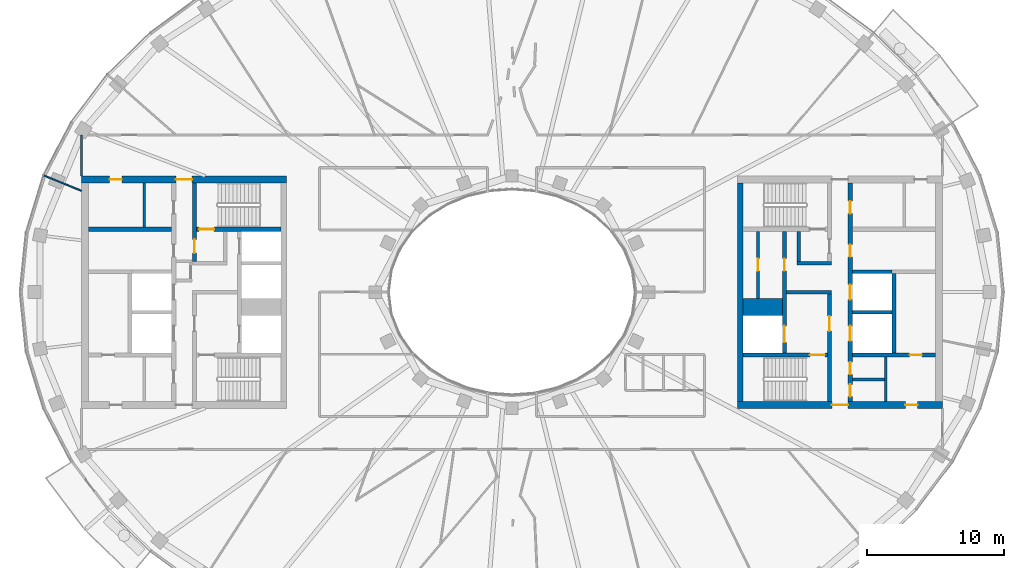
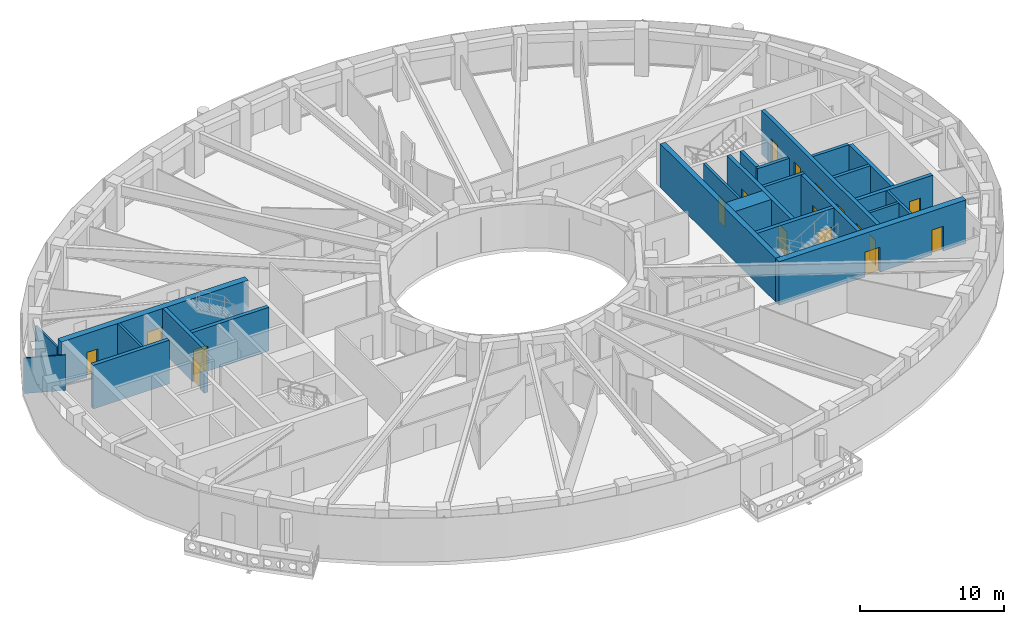
# One storey, part 5 of 16: 24 walls, 18 doors, 18 openings.
"""IFC4 building model written with IfcOpenShell, lengths in metres."""

from ifc_helpers import new_model, si_unit, direction, frame, frame_2d, origin, place, context, subcontext, project, spatial, rectangle, extrude, material, layer, layer_set, type_object, element, fill, save


model = new_model("IFC4")

# Units and contexts
model_context = context("Model", 3, precision=1e-05, world=origin(), true_north=direction((0.0, 1.0)))
body_context = subcontext(model_context, "Body", "Model", "MODEL_VIEW")
ifc_project = project(units=[si_unit("LENGTHUNIT", "METRE"), si_unit("AREAUNIT", "SQUARE_METRE"), si_unit("VOLUMEUNIT", "CUBIC_METRE"), si_unit("PLANEANGLEUNIT", "RADIAN"), si_unit("MASSUNIT", "GRAM", prefix="KILO")], contexts=[model_context])

# Site, building, storey
site_placement = place(None, origin())
site = spatial("IfcSite", under=ifc_project, at=site_placement, CompositionType="ELEMENT")
building_placement = place(site_placement, origin())
building = spatial("IfcBuilding", under=site, at=building_placement, Name="Noorbagh Ring Tower", CompositionType="ELEMENT")
storey_placement = place(building_placement, frame((0.0, 0.0, 311.0)))
storey = spatial("IfcBuildingStorey", under=building, at=storey_placement, Name="L67", CompositionType="ELEMENT", Elevation=311.0)

# Wall
ifc_material_1 = material(Name="Gypsum board on steel studs", Category="steel")
ifc_layer_1 = layer(ifc_material_1, 0.199951171875)
ifc_layer_set_1 = layer_set([ifc_layer_1], Name="Gypsum board on steel studs")
wall_type_1 = type_object("IfcWallType", Name="CORE-PARTITION-200", PredefinedType="PARTITIONING", material=ifc_layer_set_1)
wall_1_placement = place(storey_placement, frame((-26.89990234375, 4.75, 0.0), z_axis=(0.0, 0.0, 1.0), x_axis=(0.0, 1.0, 0.0)))
element("IfcWall", 1, at=wall_1_placement, inside=storey, type_object=wall_type_1, Name="Core partition W", PredefinedType="PARTITIONING", context=body_context, shape_type="SweptSolid", body=[
    extrude(rectangle(XDim=3.25, YDim=0.199951171875, at=frame_2d((1.625, 0.0))), origin(), (0.0, 0.0, 1.0), 3.699951171875),
])

# Wall, opening, door
wall_2_placement = place(storey_placement, frame((18.0, -0.449951171875, 0.0), z_axis=(0.0, 0.0, 1.0), x_axis=(0.0, 1.0, 0.0)))
wall_2 = element("IfcWall", 2, at=wall_2_placement, inside=storey, type_object=wall_type_1, Name="Core partition E", PredefinedType="PARTITIONING", context=body_context, shape_type="SweptSolid", body=[
    extrude(rectangle(XDim=4.89990234375, YDim=0.199951171875, at=frame_2d((2.449951171875, 0.0))), origin(), (0.0, 0.0, 1.0), 3.699951171875),
])
opening_1_placement = place(wall_2_placement, frame((2.0, 0.0, 0.0)))
opening_1 = element("IfcOpeningElement", 3, at=opening_1_placement, cuts=wall_2, Name="Opening L67-CE11", PredefinedType="OPENING", context=body_context, shape_type="SweptSolid", body=[
    extrude(rectangle(XDim=0.89990234375, YDim=2.10009765625, at=frame_2d((0.449951171875, 1.050048828125))), frame((0.0, 0.10986328125, 0.0), z_axis=(0.0, -1.0, 0.0), x_axis=(1.0, 0.0, 0.0)), (0.0, 0.0, 1.0), 0.219970703125),
])
ifc_material_2 = material(Name="Steel door leaf", Category="steel")
door_type_1 = type_object("IfcDoorType", Name="CORE-DOOR-DROOM", OperationType="SINGLE_SWING_LEFT", PredefinedType="DOOR", material=ifc_material_2)
door_1_placement = place(opening_1_placement, origin())
door_1 = element("IfcDoor", 4, at=door_1_placement, inside=storey, type_object=door_type_1, Name="Core room door L67-CE11", OperationType="SINGLE_SWING_RIGHT", OverallHeight=2.10009765625, OverallWidth=0.89990234375, PredefinedType="DOOR", context=body_context, shape_type="SweptSolid", body=[
    extrude(rectangle(XDim=0.89990234375, YDim=2.10009765625, at=frame_2d((0.449951171875, 1.050048828125))), frame((0.0, 0.02490234375, 0.0), z_axis=(0.0, -1.0, 0.0), x_axis=(1.0, 0.0, 0.0)), (0.0, 0.0, 1.0), 0.050048828125),
])
fill(opening_1, door_1)

# Walls
wall_3_placement = place(storey_placement, frame((27.35009765625, -8.0, 0.0), z_axis=(0.0, 0.0, 1.0), x_axis=(0.0, 1.0, 0.0)))
element("IfcWall", 5, at=wall_3_placement, inside=storey, type_object=wall_type_1, Name="Core partition E", PredefinedType="PARTITIONING", context=body_context, shape_type="SweptSolid", body=[
    extrude(rectangle(XDim=3.25, YDim=0.199951171875, at=frame_2d((1.625, 0.0))), origin(), (0.0, 0.0, 1.0), 3.699951171875),
])
wall_4_placement = place(storey_placement, frame((24.89990234375, -6.39990234375, 0.0), z_axis=(0.0, 0.0, 1.0), x_axis=(1.0, 0.0, 0.0)))
element("IfcWall", 6, at=wall_4_placement, inside=storey, type_object=wall_type_1, Name="Core partition E", PredefinedType="PARTITIONING", context=body_context, shape_type="SweptSolid", body=[
    extrude(rectangle(XDim=2.35009765625, YDim=0.199951171875, at=frame_2d((1.175048828125, 0.0))), origin(), (0.0, 0.0, 1.0), 3.699951171875),
])
ifc_material_3 = material(Name="Concrete C50/60", Category="concrete")
ifc_layer_2 = layer(ifc_material_3, 1.25)
ifc_layer_set_2 = layer_set([ifc_layer_2], Name="Concrete C50/60")
wall_type_2 = type_object("IfcWallType", Name="CORE-WALL-1250-C50-60-EI120", PredefinedType="SHEAR", material=ifc_layer_set_2)
wall_5_placement = place(storey_placement, frame((16.89990234375, -1.074951171875, 0.0), z_axis=(0.0, 0.0, 1.0), x_axis=(1.0, 0.0, 0.0)))
element("IfcWall", 7, at=wall_5_placement, inside=storey, type_object=wall_type_2, Name="Core wall E", PredefinedType="SHEAR", context=body_context, shape_type="SweptSolid", body=[
    extrude(rectangle(XDim=2.900146484375, YDim=1.25, at=frame_2d((1.4501953125, 0.0))), origin(), (0.0, 0.0, 1.0), 3.699951171875),
])
ifc_material_4 = material(Name="Concrete C50/60", Category="concrete")
ifc_layer_3 = layer(ifc_material_4, 0.25)
ifc_layer_set_3 = layer_set([ifc_layer_3], Name="Concrete C50/60")
wall_type_3 = type_object("IfcWallType", Name="CORE-WALL-250-C50-60-EI120", PredefinedType="SHEAR", material=ifc_layer_set_3)
for number, where, z_axis, x_axis, name in (
    (8, (24.89990234375, -1.47509765625, 0.0), (0.0, 0.0, 1.0), (1.0, 0.0, 0.0), "Core wall E"),
    (9, (24.89990234375, 1.47509765625, 0.0), (0.0, 0.0, 1.0), (1.0, 0.0, 0.0), "Core wall E"),
):
    element("IfcWall", number, at=place(storey_placement, frame(where, z_axis=z_axis, x_axis=x_axis)), inside=storey, type_object=wall_type_3, Name=name, PredefinedType="SHEAR", context=body_context, shape_type="SweptSolid", body=[
        extrude(rectangle(XDim=2.900146484375, YDim=0.25, at=frame_2d((1.4501953125, 0.0))), origin(), (0.0, 0.0, 1.0), 3.699951171875),
    ])
ifc_material_5 = material(Name="Concrete C50/60", Category="concrete")
ifc_layer_4 = layer(ifc_material_5, 0.25)
ifc_layer_set_4 = layer_set([ifc_layer_4], Name="Concrete C50/60")
wall_type_4 = type_object("IfcWallType", Name="CORE-WALL-250-C50-60-EI240", PredefinedType="SHEAR", material=ifc_layer_set_4)
wall_6_placement = place(storey_placement, frame((20.10009765625, 0.0, 0.0), z_axis=(0.0, 0.0, 1.0), x_axis=(1.0, 0.0, 0.0)))
element("IfcWall", 10, at=wall_6_placement, inside=storey, type_object=wall_type_4, Name="Core wall E", PredefinedType="SHEAR", context=body_context, shape_type="SweptSolid", body=[
    extrude(rectangle(XDim=3.27978515625, YDim=0.25, at=frame_2d((1.639892578125, 0.0))), origin(), (0.0, 0.0, 1.0), 3.699951171875),
])
wall_7_placement = place(storey_placement, frame((20.85009765625, 2.125, 0.0), z_axis=(0.0, 0.0, 1.0), x_axis=(1.0, 0.0, 0.0)))
element("IfcWall", 11, at=wall_7_placement, inside=storey, type_object=wall_type_4, Name="Core wall E", PredefinedType="SHEAR", context=body_context, shape_type="SweptSolid", body=[
    extrude(rectangle(XDim=2.52978515625, YDim=0.25, at=frame_2d((1.264892578125, 0.0))), origin(), (0.0, 0.0, 1.0), 3.699951171875),
])
wall_8_placement = place(storey_placement, frame((20.97509765625, 2.25, 0.0), z_axis=(0.0, 0.0, 1.0), x_axis=(0.0, 1.0, 0.0)))
element("IfcWall", 12, at=wall_8_placement, inside=storey, type_object=wall_type_4, Name="Core wall E", PredefinedType="SHEAR", context=body_context, shape_type="SweptSolid", body=[
    extrude(rectangle(XDim=2.199951171875, YDim=0.25, at=frame_2d((1.10009765625, 0.0))), origin(), (0.0, 0.0, 1.0), 3.699951171875),
])
ifc_material_6 = material(Name="Concrete C50/60", Category="concrete")
ifc_layer_5 = layer(ifc_material_6, 0.300048828125)
ifc_layer_set_5 = layer_set([ifc_layer_5], Name="Concrete C50/60")
wall_type_5 = type_object("IfcWallType", Name="CORE-WALL-300-C50-60-EI120", PredefinedType="SHEAR", material=ifc_layer_set_5)
wall_9_placement = place(storey_placement, frame((27.949951171875, -4.449951171875, 0.0), z_axis=(0.0, 0.0, 1.0), x_axis=(0.0, 1.0, 0.0)))
element("IfcWall", 13, at=wall_9_placement, inside=storey, type_object=wall_type_5, Name="Core wall E", PredefinedType="SHEAR", context=body_context, shape_type="SweptSolid", body=[
    extrude(rectangle(XDim=5.800048828125, YDim=0.300048828125, at=frame_2d((2.89990234375, 0.0))), origin(), (0.0, 0.0, 1.0), 3.699951171875),
])

# Wall, openings, doors
wall_10_placement = place(storey_placement, frame((19.949951171875, -4.449951171875, 0.0), z_axis=(0.0, 0.0, 1.0), x_axis=(0.0, 1.0, 0.0)))
wall_10 = element("IfcWall", 14, at=wall_10_placement, inside=storey, type_object=wall_type_5, Name="Core wall E", PredefinedType="SHEAR", context=body_context, shape_type="SweptSolid", body=[
    extrude(rectangle(XDim=8.89990234375, YDim=0.300048828125, at=frame_2d((4.449951171875, 0.0))), origin(), (0.0, 0.0, 1.0), 3.699951171875),
])
opening_2_placement = place(wall_10_placement, frame((0.77490234375, 0.0, 0.0)))
opening_2 = element("IfcOpeningElement", 15, at=opening_2_placement, cuts=wall_10, Name="Opening L67-CE01", PredefinedType="OPENING", context=body_context, shape_type="SweptSolid", body=[
    extrude(rectangle(XDim=1.199951171875, YDim=2.10009765625, at=frame_2d((0.60009765625, 1.050048828125))), frame((0.0, 0.16015625, 0.0), z_axis=(0.0, -1.0, 0.0), x_axis=(1.0, 0.0, 0.0)), (0.0, 0.0, 1.0), 0.320068359375),
])
opening_3_placement = place(wall_10_placement, frame((6.0, 0.0, 0.0)))
opening_3 = element("IfcOpeningElement", 16, at=opening_3_placement, cuts=wall_10, Name="Opening L67-CE10", PredefinedType="OPENING", context=body_context, shape_type="SweptSolid", body=[
    extrude(rectangle(XDim=0.89990234375, YDim=2.10009765625, at=frame_2d((0.449951171875, 1.050048828125))), frame((0.0, 0.16015625, 0.0), z_axis=(0.0, -1.0, 0.0), x_axis=(1.0, 0.0, 0.0)), (0.0, 0.0, 1.0), 0.320068359375),
])
door_2_placement = place(opening_3_placement, origin())
door_2 = element("IfcDoor", 17, at=door_2_placement, inside=storey, type_object=door_type_1, Name="Core room door L67-CE10", OperationType="SINGLE_SWING_RIGHT", OverallHeight=2.10009765625, OverallWidth=0.89990234375, PredefinedType="DOOR", context=body_context, shape_type="SweptSolid", body=[
    extrude(rectangle(XDim=0.89990234375, YDim=2.10009765625, at=frame_2d((0.449951171875, 1.050048828125))), frame((0.0, 0.02490234375, 0.0), z_axis=(0.0, -1.0, 0.0), x_axis=(1.0, 0.0, 0.0)), (0.0, 0.0, 1.0), 0.050048828125),
])
fill(opening_3, door_2)
ifc_material_7 = material(Name="Steel door leaf", Category="steel")
door_type_2 = type_object("IfcDoorType", Name="CORE-DOOR-LDW", OperationType="DOUBLE_DOOR_SLIDING", PredefinedType="DOOR", material=ifc_material_7)
door_3_placement = place(opening_2_placement, origin())
door_3 = element("IfcDoor", 18, at=door_3_placement, inside=storey, type_object=door_type_2, Name="Landing door FF2 L67-CE01", OperationType="DOUBLE_DOOR_SLIDING", OverallHeight=2.10009765625, OverallWidth=1.199951171875, PredefinedType="DOOR", context=body_context, shape_type="SweptSolid", body=[
    extrude(rectangle(XDim=1.199951171875, YDim=2.10009765625, at=frame_2d((0.60009765625, 1.050048828125))), frame((0.0, 0.02490234375, 0.0), z_axis=(0.0, -1.0, 0.0), x_axis=(1.0, 0.0, 0.0)), (0.0, 0.0, 1.0), 0.050048828125),
])
fill(opening_2, door_3)

wall_11_placement = place(storey_placement, frame((24.75, -8.0, 0.0), z_axis=(0.0, 0.0, 1.0), x_axis=(0.0, 1.0, 0.0)))
wall_11 = element("IfcWall", 19, at=wall_11_placement, inside=storey, type_object=wall_type_5, Name="Core wall E", PredefinedType="SHEAR", context=body_context, shape_type="SweptSolid", body=[
    extrude(rectangle(XDim=16.0, YDim=0.300048828125, at=frame_2d((8.0, 0.0))), origin(), (0.0, 0.0, 1.0), 3.699951171875),
])
opening_4_placement = place(wall_11_placement, frame((4.425048828125, 0.0, 0.0)))
opening_4 = element("IfcOpeningElement", 20, at=opening_4_placement, cuts=wall_11, Name="Opening L67-CE02", PredefinedType="OPENING", context=body_context, shape_type="SweptSolid", body=[
    extrude(rectangle(XDim=1.10009765625, YDim=2.10009765625, at=frame_2d((0.550048828125, 1.050048828125))), frame((0.0, 0.16015625, 0.0), z_axis=(0.0, -1.0, 0.0), x_axis=(1.0, 0.0, 0.0)), (0.0, 0.0, 1.0), 0.320068359375),
])
opening_5_placement = place(wall_11_placement, frame((7.449951171875, 0.0, 0.0)))
opening_5 = element("IfcOpeningElement", 21, at=opening_5_placement, cuts=wall_11, Name="Opening L67-CE03", PredefinedType="OPENING", context=body_context, shape_type="SweptSolid", body=[
    extrude(rectangle(XDim=1.10009765625, YDim=2.10009765625, at=frame_2d((0.550048828125, 1.050048828125))), frame((0.0, 0.16015625, 0.0), z_axis=(0.0, -1.0, 0.0), x_axis=(1.0, 0.0, 0.0)), (0.0, 0.0, 1.0), 0.320068359375),
])
opening_6_placement = place(wall_11_placement, frame((10.574951171875, 0.0, 0.0)))
opening_6 = element("IfcOpeningElement", 22, at=opening_6_placement, cuts=wall_11, Name="Opening L67-CE12", PredefinedType="OPENING", context=body_context, shape_type="SweptSolid", body=[
    extrude(rectangle(XDim=0.89990234375, YDim=2.10009765625, at=frame_2d((0.449951171875, 1.050048828125))), frame((0.0, 0.16015625, 0.0), z_axis=(0.0, -1.0, 0.0), x_axis=(1.0, 0.0, 0.0)), (0.0, 0.0, 1.0), 0.320068359375),
])
opening_7_placement = place(wall_11_placement, frame((13.75, 0.0, 0.0)))
opening_7 = element("IfcOpeningElement", 23, at=opening_7_placement, cuts=wall_11, Name="Opening L67-CE13", PredefinedType="OPENING", context=body_context, shape_type="SweptSolid", body=[
    extrude(rectangle(XDim=0.89990234375, YDim=2.10009765625, at=frame_2d((0.449951171875, 1.050048828125))), frame((0.0, 0.16015625, 0.0), z_axis=(0.0, -1.0, 0.0), x_axis=(1.0, 0.0, 0.0)), (0.0, 0.0, 1.0), 0.320068359375),
])
opening_8_placement = place(wall_11_placement, frame((1.97509765625, 0.0, 0.0)))
opening_8 = element("IfcOpeningElement", 24, at=opening_8_placement, cuts=wall_11, Name="Opening L67-CE15", PredefinedType="OPENING", context=body_context, shape_type="SweptSolid", body=[
    extrude(rectangle(XDim=0.89990234375, YDim=2.10009765625, at=frame_2d((0.449951171875, 1.050048828125))), frame((0.0, 0.16015625, 0.0), z_axis=(0.0, -1.0, 0.0), x_axis=(1.0, 0.0, 0.0)), (0.0, 0.0, 1.0), 0.320068359375),
])
opening_9_placement = place(wall_11_placement, frame((0.35009765625, 0.0, 0.0)))
opening_9 = element("IfcOpeningElement", 25, at=opening_9_placement, cuts=wall_11, Name="Opening L67-CE16", PredefinedType="OPENING", context=body_context, shape_type="SweptSolid", body=[
    extrude(rectangle(XDim=0.89990234375, YDim=2.10009765625, at=frame_2d((0.449951171875, 1.050048828125))), frame((0.0, 0.16015625, 0.0), z_axis=(0.0, -1.0, 0.0), x_axis=(1.0, 0.0, 0.0)), (0.0, 0.0, 1.0), 0.320068359375),
])
door_4_placement = place(opening_6_placement, origin())
door_4 = element("IfcDoor", 26, at=door_4_placement, inside=storey, type_object=door_type_1, Name="Core room door L67-CE12", OperationType="SINGLE_SWING_LEFT", OverallHeight=2.10009765625, OverallWidth=0.89990234375, PredefinedType="DOOR", context=body_context, shape_type="SweptSolid", body=[
    extrude(rectangle(XDim=0.89990234375, YDim=2.10009765625, at=frame_2d((0.449951171875, 1.050048828125))), frame((0.0, 0.02490234375, 0.0), z_axis=(0.0, -1.0, 0.0), x_axis=(1.0, 0.0, 0.0)), (0.0, 0.0, 1.0), 0.050048828125),
])
fill(opening_6, door_4)
door_5_placement = place(opening_7_placement, origin())
door_5 = element("IfcDoor", 27, at=door_5_placement, inside=storey, type_object=door_type_1, Name="Core room door L67-CE13", OperationType="SINGLE_SWING_LEFT", OverallHeight=2.10009765625, OverallWidth=0.89990234375, PredefinedType="DOOR", context=body_context, shape_type="SweptSolid", body=[
    extrude(rectangle(XDim=0.89990234375, YDim=2.10009765625, at=frame_2d((0.449951171875, 1.050048828125))), frame((0.0, 0.02490234375, 0.0), z_axis=(0.0, -1.0, 0.0), x_axis=(1.0, 0.0, 0.0)), (0.0, 0.0, 1.0), 0.050048828125),
])
fill(opening_7, door_5)
door_6_placement = place(opening_8_placement, origin())
door_6 = element("IfcDoor", 28, at=door_6_placement, inside=storey, type_object=door_type_1, Name="Core room door L67-CE15", OperationType="SINGLE_SWING_LEFT", OverallHeight=2.10009765625, OverallWidth=0.89990234375, PredefinedType="DOOR", context=body_context, shape_type="SweptSolid", body=[
    extrude(rectangle(XDim=0.89990234375, YDim=2.10009765625, at=frame_2d((0.449951171875, 1.050048828125))), frame((0.0, 0.02490234375, 0.0), z_axis=(0.0, -1.0, 0.0), x_axis=(1.0, 0.0, 0.0)), (0.0, 0.0, 1.0), 0.050048828125),
])
fill(opening_8, door_6)
door_7_placement = place(opening_9_placement, origin())
door_7 = element("IfcDoor", 29, at=door_7_placement, inside=storey, type_object=door_type_1, Name="Core room door L67-CE16", OperationType="SINGLE_SWING_RIGHT", OverallHeight=2.10009765625, OverallWidth=0.89990234375, PredefinedType="DOOR", context=body_context, shape_type="SweptSolid", body=[
    extrude(rectangle(XDim=0.89990234375, YDim=2.10009765625, at=frame_2d((0.449951171875, 1.050048828125))), frame((0.0, 0.02490234375, 0.0), z_axis=(0.0, -1.0, 0.0), x_axis=(1.0, 0.0, 0.0)), (0.0, 0.0, 1.0), 0.050048828125),
])
fill(opening_9, door_7)
ifc_material_8 = material(Name="Steel door leaf", Category="steel")
door_type_3 = type_object("IfcDoorType", Name="CORE-DOOR-LD", OperationType="DOUBLE_DOOR_SLIDING", PredefinedType="DOOR", material=ifc_material_8)
door_8_placement = place(opening_4_placement, origin())
door_8 = element("IfcDoor", 30, at=door_8_placement, inside=storey, type_object=door_type_3, Name="Landing door HR12 L67-CE02", OperationType="DOUBLE_DOOR_SLIDING", OverallHeight=2.10009765625, OverallWidth=1.10009765625, PredefinedType="DOOR", context=body_context, shape_type="SweptSolid", body=[
    extrude(rectangle(XDim=1.10009765625, YDim=2.10009765625, at=frame_2d((0.550048828125, 1.050048828125))), frame((0.0, 0.02490234375, 0.0), z_axis=(0.0, -1.0, 0.0), x_axis=(1.0, 0.0, 0.0)), (0.0, 0.0, 1.0), 0.050048828125),
])
fill(opening_4, door_8)
door_9_placement = place(opening_5_placement, origin())
door_9 = element("IfcDoor", 31, at=door_9_placement, inside=storey, type_object=door_type_3, Name="Landing door HR13 L67-CE03", OperationType="DOUBLE_DOOR_SLIDING", OverallHeight=2.10009765625, OverallWidth=1.10009765625, PredefinedType="DOOR", context=body_context, shape_type="SweptSolid", body=[
    extrude(rectangle(XDim=1.10009765625, YDim=2.10009765625, at=frame_2d((0.550048828125, 1.050048828125))), frame((0.0, 0.02490234375, 0.0), z_axis=(0.0, -1.0, 0.0), x_axis=(1.0, 0.0, 0.0)), (0.0, 0.0, 1.0), 0.050048828125),
])
fill(opening_5, door_9)

# Wall
ifc_material_9 = material(Name="Concrete C50/60", Category="concrete")
ifc_layer_6 = layer(ifc_material_9, 0.300048828125)
ifc_layer_set_6 = layer_set([ifc_layer_6], Name="Concrete C50/60")
wall_type_6 = type_object("IfcWallType", Name="CORE-WALL-300-C50-60-EI240", PredefinedType="SHEAR", material=ifc_layer_set_6)
wall_12_placement = place(storey_placement, frame((-24.89990234375, 4.60009765625, 0.0), z_axis=(0.0, 0.0, 1.0), x_axis=(-1.0, 0.0, 0.0)))
element("IfcWall", 32, at=wall_12_placement, inside=storey, type_object=wall_type_6, Name="Core wall W", PredefinedType="SHEAR", context=body_context, shape_type="SweptSolid", body=[
    extrude(rectangle(XDim=6.10009765625, YDim=0.300048828125, at=frame_2d((3.050048828125, 0.0))), origin(), (0.0, 0.0, 1.0), 3.699951171875),
])

# Wall, opening, door
wall_13_placement = place(storey_placement, frame((-23.22998046875, 2.25, 0.0), z_axis=(0.0, 0.0, 1.0), x_axis=(0.0, 1.0, 0.0)))
wall_13 = element("IfcWall", 33, at=wall_13_placement, inside=storey, type_object=wall_type_6, Name="Core wall W", PredefinedType="SHEAR", context=body_context, shape_type="SweptSolid", body=[
    extrude(rectangle(XDim=5.75, YDim=0.300048828125, at=frame_2d((2.875, 0.0))), origin(), (0.0, 0.0, 1.0), 3.699951171875),
])
opening_10_placement = place(wall_13_placement, frame((0.60009765625, 0.0, 0.0)))
opening_10 = element("IfcOpeningElement", 34, at=opening_10_placement, cuts=wall_13, Name="Opening L67-CW08", PredefinedType="OPENING", context=body_context, shape_type="SweptSolid", body=[
    extrude(rectangle(XDim=1.0, YDim=2.10009765625, at=frame_2d((0.5, 1.050048828125))), frame((0.0, 0.16015625, 0.0), z_axis=(0.0, -1.0, 0.0), x_axis=(1.0, 0.0, 0.0)), (0.0, 0.0, 1.0), 0.320068359375),
])
ifc_material_10 = material(Name="Steel door leaf", Category="steel")
door_type_4 = type_object("IfcDoorType", Name="CORE-DOOR-DVEST", OperationType="SINGLE_SWING_LEFT", PredefinedType="DOOR", material=ifc_material_10)
door_10_placement = place(opening_10_placement, origin())
door_10 = element("IfcDoor", 35, at=door_10_placement, inside=storey, type_object=door_type_4, Name="Stair vestibule door L67-CW08", OperationType="SINGLE_SWING_LEFT", OverallHeight=2.10009765625, OverallWidth=1.0, PredefinedType="DOOR", context=body_context, shape_type="SweptSolid", body=[
    extrude(rectangle(XDim=1.0, YDim=2.10009765625, at=frame_2d((0.5, 1.050048828125))), frame((0.0, 0.02490234375, 0.0), z_axis=(0.0, -1.0, 0.0), x_axis=(1.0, 0.0, 0.0)), (0.0, 0.0, 1.0), 0.050048828125),
])
fill(opening_10, door_10)

wall_14_placement = place(storey_placement, frame((-16.89990234375, 4.60009765625, 0.0), z_axis=(0.0, 0.0, 1.0), x_axis=(-1.0, 0.0, 0.0)))
wall_14 = element("IfcWall", 36, at=wall_14_placement, inside=storey, type_object=wall_type_6, Name="Core wall W", PredefinedType="SHEAR", context=body_context, shape_type="SweptSolid", body=[
    extrude(rectangle(XDim=6.18017578125, YDim=0.300048828125, at=frame_2d((3.090087890625, 0.0))), origin(), (0.0, 0.0, 1.0), 3.699951171875),
])
opening_11_placement = place(wall_14_placement, frame((4.89990234375, 0.0, 0.0)))
opening_11 = element("IfcOpeningElement", 37, at=opening_11_placement, cuts=wall_14, Name="Opening L67-CW05", PredefinedType="OPENING", context=body_context, shape_type="SweptSolid", body=[
    extrude(rectangle(XDim=1.10009765625, YDim=2.10009765625, at=frame_2d((0.550048828125, 1.050048828125))), frame((0.0, 0.16015625, 0.0), z_axis=(0.0, -1.0, 0.0), x_axis=(1.0, 0.0, 0.0)), (0.0, 0.0, 1.0), 0.320068359375),
])
ifc_material_11 = material(Name="Steel door leaf", Category="steel")
door_type_5 = type_object("IfcDoorType", Name="CORE-DOOR-DSTAIR", OperationType="SINGLE_SWING_LEFT", PredefinedType="DOOR", material=ifc_material_11)
door_11_placement = place(opening_11_placement, origin())
door_11 = element("IfcDoor", 38, at=door_11_placement, inside=storey, type_object=door_type_5, Name="Stair door ST1 L67-CW05", OperationType="SINGLE_SWING_RIGHT", OverallHeight=2.10009765625, OverallWidth=1.10009765625, PredefinedType="DOOR", context=body_context, shape_type="SweptSolid", body=[
    extrude(rectangle(XDim=1.10009765625, YDim=2.10009765625, at=frame_2d((0.550048828125, 1.050048828125))), frame((0.0, 0.02490234375, 0.0), z_axis=(0.0, -1.0, 0.0), x_axis=(1.0, 0.0, 0.0)), (0.0, 0.0, 1.0), 0.050048828125),
])
fill(opening_11, door_11)

wall_15_placement = place(storey_placement, frame((24.89990234375, -4.60009765625, 0.0), z_axis=(0.0, 0.0, 1.0), x_axis=(1.0, 0.0, 0.0)))
wall_15 = element("IfcWall", 39, at=wall_15_placement, inside=storey, type_object=wall_type_6, Name="Core wall E", PredefinedType="SHEAR", context=body_context, shape_type="SweptSolid", body=[
    extrude(rectangle(XDim=6.10009765625, YDim=0.300048828125, at=frame_2d((3.050048828125, 0.0))), origin(), (0.0, 0.0, 1.0), 3.699951171875),
])
opening_12_placement = place(wall_15_placement, frame((4.199951171875, 0.0, 0.0)))
opening_12 = element("IfcOpeningElement", 40, at=opening_12_placement, cuts=wall_15, Name="Opening L67-CE18", PredefinedType="OPENING", context=body_context, shape_type="SweptSolid", body=[
    extrude(rectangle(XDim=0.89990234375, YDim=2.10009765625, at=frame_2d((0.449951171875, 1.050048828125))), frame((0.0, 0.16015625, 0.0), z_axis=(0.0, -1.0, 0.0), x_axis=(1.0, 0.0, 0.0)), (0.0, 0.0, 1.0), 0.320068359375),
])
door_12_placement = place(opening_12_placement, origin())
door_12 = element("IfcDoor", 41, at=door_12_placement, inside=storey, type_object=door_type_1, Name="Core room door L67-CE18", OperationType="SINGLE_SWING_LEFT", OverallHeight=2.10009765625, OverallWidth=0.89990234375, PredefinedType="DOOR", context=body_context, shape_type="SweptSolid", body=[
    extrude(rectangle(XDim=0.89990234375, YDim=2.10009765625, at=frame_2d((0.449951171875, 1.050048828125))), frame((0.0, 0.02490234375, 0.0), z_axis=(0.0, -1.0, 0.0), x_axis=(1.0, 0.0, 0.0)), (0.0, 0.0, 1.0), 0.050048828125),
])
fill(opening_12, door_12)

wall_16_placement = place(storey_placement, frame((23.22998046875, -8.0, 0.0), z_axis=(0.0, 0.0, 1.0), x_axis=(0.0, 1.0, 0.0)))
wall_16 = element("IfcWall", 42, at=wall_16_placement, inside=storey, type_object=wall_type_6, Name="Core wall E", PredefinedType="SHEAR", context=body_context, shape_type="SweptSolid", body=[
    extrude(rectangle(XDim=7.875, YDim=0.300048828125, at=frame_2d((3.9375, 0.0))), origin(), (0.0, 0.0, 1.0), 3.699951171875),
])
opening_13_placement = place(wall_16_placement, frame((5.14990234375, 0.0, 0.0)))
opening_13 = element("IfcOpeningElement", 43, at=opening_13_placement, cuts=wall_16, Name="Opening L67-CE06", PredefinedType="OPENING", context=body_context, shape_type="SweptSolid", body=[
    extrude(rectangle(XDim=1.10009765625, YDim=2.10009765625, at=frame_2d((0.550048828125, 1.050048828125))), frame((0.0, 0.16015625, 0.0), z_axis=(0.0, -1.0, 0.0), x_axis=(1.0, 0.0, 0.0)), (0.0, 0.0, 1.0), 0.320068359375),
])
ifc_material_12 = material(Name="Steel door leaf", Category="steel")
door_type_6 = type_object("IfcDoorType", Name="CORE-DOOR-DFF", OperationType="SINGLE_SWING_LEFT", PredefinedType="DOOR", material=ifc_material_12)
door_13_placement = place(opening_13_placement, origin())
door_13 = element("IfcDoor", 44, at=door_13_placement, inside=storey, type_object=door_type_6, Name="Firefighting lobby door L67-CE06", OperationType="SINGLE_SWING_RIGHT", OverallHeight=2.10009765625, OverallWidth=1.10009765625, PredefinedType="DOOR", context=body_context, shape_type="SweptSolid", body=[
    extrude(rectangle(XDim=1.10009765625, YDim=2.10009765625, at=frame_2d((0.550048828125, 1.050048828125))), frame((0.0, 0.02490234375, 0.0), z_axis=(0.0, -1.0, 0.0), x_axis=(1.0, 0.0, 0.0)), (0.0, 0.0, 1.0), 0.050048828125),
])
fill(opening_13, door_13)

wall_17_placement = place(storey_placement, frame((16.89990234375, -4.60009765625, 0.0), z_axis=(0.0, 0.0, 1.0), x_axis=(1.0, 0.0, 0.0)))
wall_17 = element("IfcWall", 45, at=wall_17_placement, inside=storey, type_object=wall_type_6, Name="Core wall E", PredefinedType="SHEAR", context=body_context, shape_type="SweptSolid", body=[
    extrude(rectangle(XDim=6.18017578125, YDim=0.300048828125, at=frame_2d((3.090087890625, 0.0))), origin(), (0.0, 0.0, 1.0), 3.699951171875),
])
opening_14_placement = place(wall_17_placement, frame((4.89990234375, 0.0, 0.0)))
opening_14 = element("IfcOpeningElement", 46, at=opening_14_placement, cuts=wall_17, Name="Opening L67-CE05", PredefinedType="OPENING", context=body_context, shape_type="SweptSolid", body=[
    extrude(rectangle(XDim=1.10009765625, YDim=2.10009765625, at=frame_2d((0.550048828125, 1.050048828125))), frame((0.0, 0.16015625, 0.0), z_axis=(0.0, -1.0, 0.0), x_axis=(1.0, 0.0, 0.0)), (0.0, 0.0, 1.0), 0.320068359375),
])
door_14_placement = place(opening_14_placement, origin())
door_14 = element("IfcDoor", 47, at=door_14_placement, inside=storey, type_object=door_type_5, Name="Stair door ST4 L67-CE05", OperationType="SINGLE_SWING_RIGHT", OverallHeight=2.10009765625, OverallWidth=1.10009765625, PredefinedType="DOOR", context=body_context, shape_type="SweptSolid", body=[
    extrude(rectangle(XDim=1.10009765625, YDim=2.10009765625, at=frame_2d((0.550048828125, 1.050048828125))), frame((0.0, 0.02490234375, 0.0), z_axis=(0.0, -1.0, 0.0), x_axis=(1.0, 0.0, 0.0)), (0.0, 0.0, 1.0), 0.050048828125),
])
fill(opening_14, door_14)

# Wall
ifc_material_13 = material(Name="Concrete C50/60", Category="concrete")
ifc_layer_7 = layer(ifc_material_13, 0.39990234375)
ifc_layer_set_7 = layer_set([ifc_layer_7], Name="Concrete C50/60")
wall_type_7 = type_object("IfcWallType", Name="CORE-WALL-400-C50-60-EI240", PredefinedType="SHEAR", material=ifc_layer_set_7)
wall_18_placement = place(storey_placement, frame((16.699951171875, -8.0, 0.0), z_axis=(0.0, 0.0, 1.0), x_axis=(0.0, 1.0, 0.0)))
element("IfcWall", 48, at=wall_18_placement, inside=storey, type_object=wall_type_7, Name="Core wall E", PredefinedType="SHEAR", context=body_context, shape_type="SweptSolid", body=[
    extrude(rectangle(XDim=16.0, YDim=0.39990234375, at=frame_2d((8.0, 0.0))), origin(), (0.0, 0.0, 1.0), 3.699951171875),
])

# Wall, openings, doors
ifc_material_14 = material(Name="Concrete C50/60", Category="concrete")
ifc_layer_8 = layer(ifc_material_14, 0.5)
ifc_layer_set_8 = layer_set([ifc_layer_8], Name="Concrete C50/60")
wall_type_8 = type_object("IfcWallType", Name="CORE-WALL-500-C50-60-EI240", PredefinedType="SHEAR", material=ifc_layer_set_8)
wall_19_placement = place(storey_placement, frame((-16.5, 8.25, 0.0), z_axis=(0.0, 0.0, 1.0), x_axis=(-1.0, 0.0, 0.0)))
wall_19 = element("IfcWall", 49, at=wall_19_placement, inside=storey, type_object=wall_type_8, Name="Core wall W", PredefinedType="SHEAR", context=body_context, shape_type="SweptSolid", body=[
    extrude(rectangle(XDim=15.0, YDim=0.5, at=frame_2d((7.5, 0.0))), origin(), (0.0, 0.0, 1.0), 3.699951171875),
])
opening_15_placement = place(wall_19_placement, frame((6.89990234375, 0.0, 0.0)))
opening_15 = element("IfcOpeningElement", 50, at=opening_15_placement, cuts=wall_19, Name="Opening L67-CW09", PredefinedType="OPENING", context=body_context, shape_type="SweptSolid", body=[
    extrude(rectangle(XDim=1.199951171875, YDim=2.10009765625, at=frame_2d((0.60009765625, 1.050048828125))), frame((0.0, 0.260009765625, 0.0), z_axis=(0.0, -1.0, 0.0), x_axis=(1.0, 0.0, 0.0)), (0.0, 0.0, 1.0), 0.52001953125),
])
opening_16_placement = place(wall_19_placement, frame((12.050048828125, 0.0, 0.0)))
opening_16 = element("IfcOpeningElement", 51, at=opening_16_placement, cuts=wall_19, Name="Opening L67-CW13", PredefinedType="OPENING", context=body_context, shape_type="SweptSolid", body=[
    extrude(rectangle(XDim=0.89990234375, YDim=2.10009765625, at=frame_2d((0.449951171875, 1.050048828125))), frame((0.0, 0.260009765625, 0.0), z_axis=(0.0, -1.0, 0.0), x_axis=(1.0, 0.0, 0.0)), (0.0, 0.0, 1.0), 0.52001953125),
])
door_15_placement = place(opening_16_placement, origin())
door_15 = element("IfcDoor", 52, at=door_15_placement, inside=storey, type_object=door_type_1, Name="Core room door L67-CW13", OperationType="SINGLE_SWING_RIGHT", OverallHeight=2.10009765625, OverallWidth=0.89990234375, PredefinedType="DOOR", context=body_context, shape_type="SweptSolid", body=[
    extrude(rectangle(XDim=0.89990234375, YDim=2.10009765625, at=frame_2d((0.449951171875, 1.050048828125))), frame((0.0, 0.02490234375, 0.0), z_axis=(0.0, -1.0, 0.0), x_axis=(1.0, 0.0, 0.0)), (0.0, 0.0, 1.0), 0.050048828125),
])
fill(opening_16, door_15)
ifc_material_15 = material(Name="Steel door leaf", Category="steel")
door_type_7 = type_object("IfcDoorType", Name="CORE-DOOR-PORT", OperationType="DOUBLE_DOOR_DOUBLE_SWING", PredefinedType="DOOR", material=ifc_material_15)
door_16_placement = place(opening_15_placement, origin())
door_16 = element("IfcDoor", 53, at=door_16_placement, inside=storey, type_object=door_type_7, Name="Core entrance door L67-CW09", OperationType="DOUBLE_DOOR_DOUBLE_SWING", OverallHeight=2.10009765625, OverallWidth=1.199951171875, PredefinedType="DOOR", context=body_context, shape_type="SweptSolid", body=[
    extrude(rectangle(XDim=1.199951171875, YDim=2.10009765625, at=frame_2d((0.60009765625, 1.050048828125))), frame((0.0, 0.02490234375, 0.0), z_axis=(0.0, -1.0, 0.0), x_axis=(1.0, 0.0, 0.0)), (0.0, 0.0, 1.0), 0.050048828125),
])
fill(opening_15, door_16)

wall_20_placement = place(storey_placement, frame((16.5, -8.25, 0.0), z_axis=(0.0, 0.0, 1.0), x_axis=(1.0, 0.0, 0.0)))
wall_20 = element("IfcWall", 54, at=wall_20_placement, inside=storey, type_object=wall_type_8, Name="Core wall E", PredefinedType="SHEAR", context=body_context, shape_type="SweptSolid", body=[
    extrude(rectangle(XDim=15.0, YDim=0.5, at=frame_2d((7.5, 0.0))), origin(), (0.0, 0.0, 1.0), 3.699951171875),
])
opening_17_placement = place(wall_20_placement, frame((6.89990234375, 0.0, 0.0)))
opening_17 = element("IfcOpeningElement", 55, at=opening_17_placement, cuts=wall_20, Name="Opening L67-CE09", PredefinedType="OPENING", context=body_context, shape_type="SweptSolid", body=[
    extrude(rectangle(XDim=1.199951171875, YDim=2.10009765625, at=frame_2d((0.60009765625, 1.050048828125))), frame((0.0, 0.260009765625, 0.0), z_axis=(0.0, -1.0, 0.0), x_axis=(1.0, 0.0, 0.0)), (0.0, 0.0, 1.0), 0.52001953125),
])
opening_18_placement = place(wall_20_placement, frame((12.27490234375, 0.0, 0.0)))
opening_18 = element("IfcOpeningElement", 56, at=opening_18_placement, cuts=wall_20, Name="Opening L67-CE17", PredefinedType="OPENING", context=body_context, shape_type="SweptSolid", body=[
    extrude(rectangle(XDim=0.89990234375, YDim=2.10009765625, at=frame_2d((0.449951171875, 1.050048828125))), frame((0.0, 0.260009765625, 0.0), z_axis=(0.0, -1.0, 0.0), x_axis=(1.0, 0.0, 0.0)), (0.0, 0.0, 1.0), 0.52001953125),
])
door_17_placement = place(opening_18_placement, origin())
door_17 = element("IfcDoor", 57, at=door_17_placement, inside=storey, type_object=door_type_1, Name="Core room door L67-CE17", OperationType="SINGLE_SWING_RIGHT", OverallHeight=2.10009765625, OverallWidth=0.89990234375, PredefinedType="DOOR", context=body_context, shape_type="SweptSolid", body=[
    extrude(rectangle(XDim=0.89990234375, YDim=2.10009765625, at=frame_2d((0.449951171875, 1.050048828125))), frame((0.0, 0.02490234375, 0.0), z_axis=(0.0, -1.0, 0.0), x_axis=(1.0, 0.0, 0.0)), (0.0, 0.0, 1.0), 0.050048828125),
])
fill(opening_18, door_17)
door_18_placement = place(opening_17_placement, origin())
door_18 = element("IfcDoor", 58, at=door_18_placement, inside=storey, type_object=door_type_7, Name="Core entrance door L67-CE09", OperationType="DOUBLE_DOOR_DOUBLE_SWING", OverallHeight=2.10009765625, OverallWidth=1.199951171875, PredefinedType="DOOR", context=body_context, shape_type="SweptSolid", body=[
    extrude(rectangle(XDim=1.199951171875, YDim=2.10009765625, at=frame_2d((0.60009765625, 1.050048828125))), frame((0.0, 0.02490234375, 0.0), z_axis=(0.0, -1.0, 0.0), x_axis=(1.0, 0.0, 0.0)), (0.0, 0.0, 1.0), 0.050048828125),
])
fill(opening_17, door_18)

# Walls
ifc_material_16 = material(Name="Gypsum board on steel studs", Category="steel")
ifc_layer_9 = layer(ifc_material_16, 0.14990234375)
ifc_layer_set_9 = layer_set([ifc_layer_9], Name="Gypsum board on steel studs")
wall_type_9 = type_object("IfcWallType", Name="CORRIDOR PARTITION 150 EI 30", PredefinedType="PARTITIONING", material=ifc_layer_set_9)
wall_21_placement = place(storey_placement, frame((-31.5, 8.5, 0.0), z_axis=(0.0, 0.0, 1.0), x_axis=(0.0, 1.0, 0.0)))
element("IfcWall", 59, at=wall_21_placement, inside=storey, type_object=wall_type_9, Name="L67/wall/P04", PredefinedType="PARTITIONING", context=body_context, shape_type="SweptSolid", body=[
    extrude(rectangle(XDim=3.0, YDim=0.14990234375, at=frame_2d((1.5, 0.0))), origin(), (0.0, 0.0, 1.0), 3.0),
])
ifc_material_17 = material(Name="Gypsum board on steel studs", Category="steel")
ifc_layer_10 = layer(ifc_material_17, 0.10009765625)
ifc_layer_set_10 = layer_set([ifc_layer_10], Name="Gypsum board on steel studs")
wall_type_10 = type_object("IfcWallType", Name="PARTITION 100 GYPSUM", PredefinedType="PARTITIONING", material=ifc_layer_set_10)
wall_22_placement = place(storey_placement, frame((-34.23388671875, 8.530029296875, 0.0), z_axis=(0.0, 0.0, 1.0), x_axis=(0.925344112436, -0.379128307542, 0.0)))
element("IfcWall", 60, at=wall_22_placement, inside=storey, type_object=wall_type_10, Name="L67/wall/P01", PredefinedType="PARTITIONING", context=body_context, shape_type="SweptSolid", body=[
    extrude(rectangle(XDim=2.954345703125, YDim=0.10009765625, at=frame_2d((1.47705078125, 0.0))), origin(), (0.0, 0.0, 1.0), 3.0),
])

save(model, "model.ifc")
